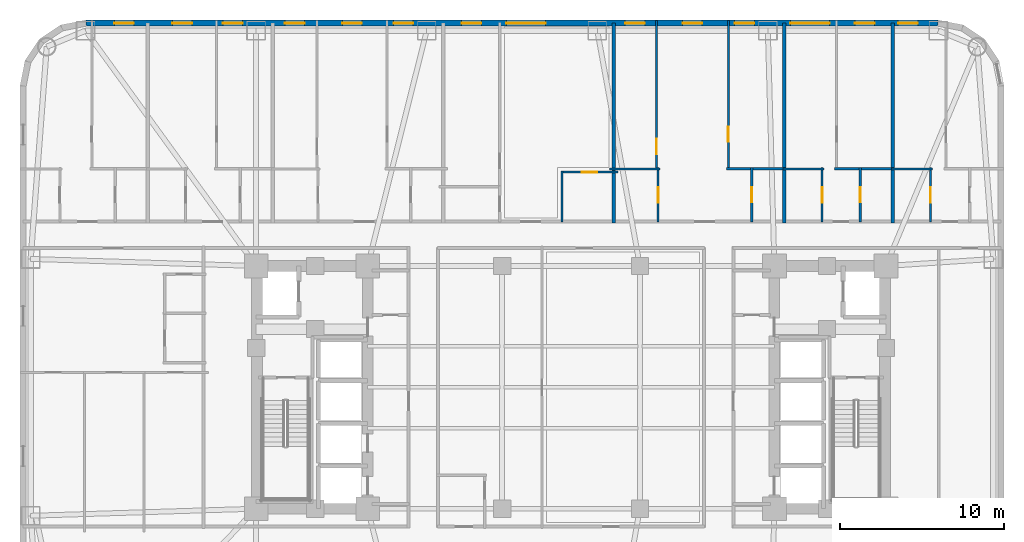
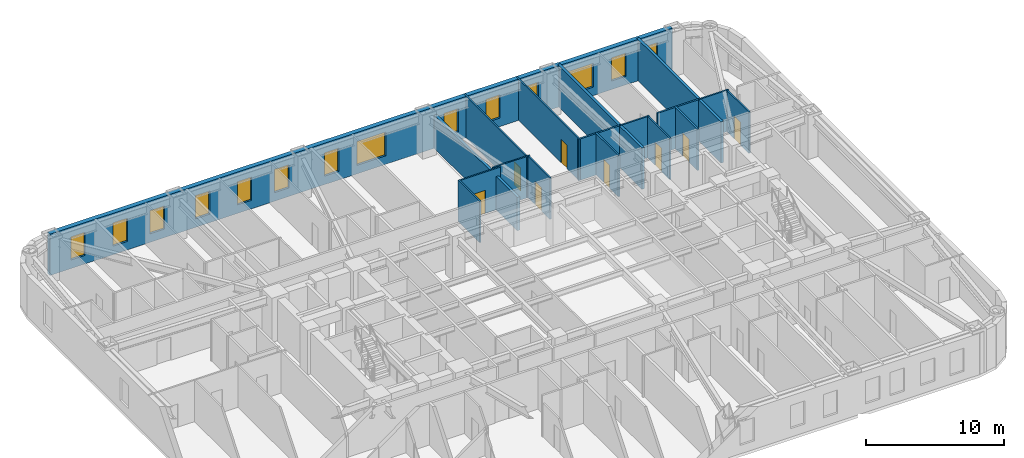
# One storey, part 8 of 12: 18 walls, 14 windows, 8 doors, 22 openings.
"""IFC4 building model written with IfcOpenShell, lengths in metres."""

from ifc_helpers import new_model, si_unit, direction, frame, frame_2d, origin, place, context, subcontext, project, spatial, rectangle, extrude, material, layer, layer_set, type_object, element, fill, save


model = new_model("IFC4")

# Units and contexts
model_context = context("Model", 3, precision=1e-05, world=origin(), true_north=direction((0.0, 1.0)))
body_context = subcontext(model_context, "Body", "Model", "MODEL_VIEW")
ifc_project = project(units=[si_unit("LENGTHUNIT", "METRE"), si_unit("AREAUNIT", "SQUARE_METRE"), si_unit("VOLUMEUNIT", "CUBIC_METRE"), si_unit("PLANEANGLEUNIT", "RADIAN"), si_unit("MASSUNIT", "GRAM", prefix="KILO")], contexts=[model_context])

# Site, building, storey
site_placement = place(None, origin())
site = spatial("IfcSite", under=ifc_project, at=site_placement, CompositionType="ELEMENT")
building_placement = place(site_placement, origin())
building = spatial("IfcBuilding", under=site, at=building_placement, Name="Voryun Gate Residences", CompositionType="ELEMENT")
storey_placement = place(building_placement, frame((0.0, 0.0, 41.60009765625)))
storey = spatial("IfcBuildingStorey", under=building, at=storey_placement, Name="L09", CompositionType="ELEMENT", Elevation=41.60009765625)

# Wall, openings, windows
ifc_material_1 = material(Name="Granite masonry", Category="masonry")
ifc_layer_1 = layer(ifc_material_1, 0.3798828125, Name="W_EXT_GRANITE_380")
ifc_layer_set_1 = layer_set([ifc_layer_1], Name="Granite masonry")
wall_type_1 = type_object("IfcWallType", Name="W_EXT_GRANITE_380", PredefinedType="ELEMENTEDWALL", material=ifc_layer_set_1)
wall_1_placement = place(storey_placement, frame((-29.581298828125, 22.2099609375, 0.0), z_axis=(0.0, 0.0, 1.0), x_axis=(1.0, 0.0, 0.0)))
wall_1 = element("IfcWall", 1, at=wall_1_placement, inside=storey, type_object=wall_type_1, Name="Exterior wall WEXT-L09-11", PredefinedType="ELEMENTEDWALL", context=body_context, shape_type="SweptSolid", body=[
    extrude(rectangle(XDim=51.962646484375, YDim=0.3798828125, at=frame_2d((25.9814453125, 0.0))), origin(), (0.0, 0.0, 1.0), 3.64990234375),
])
opening_1_placement = place(wall_1_placement, frame((25.63134765625, 0.0, 0.75)))
opening_1 = element("IfcOpeningElement", 2, at=opening_1_placement, cuts=wall_1, Name="Opening WN2", PredefinedType="OPENING", context=body_context, shape_type="SweptSolid", body=[
    extrude(rectangle(XDim=2.39990234375, YDim=2.10009765625, at=frame_2d((1.199951171875, 1.050048828125))), frame((0.0, 0.199951171875, 0.0), z_axis=(0.0, -1.0, 0.0), x_axis=(1.0, 0.0, 0.0)), (0.0, 0.0, 1.0), 0.39990234375),
])
opening_2_placement = place(wall_1_placement, frame((42.9521484375, 0.0, 0.75)))
opening_2 = element("IfcOpeningElement", 3, at=opening_2_placement, cuts=wall_1, Name="Opening WN2", PredefinedType="OPENING", context=body_context, shape_type="SweptSolid", body=[
    extrude(rectangle(XDim=2.39990234375, YDim=2.10009765625, at=frame_2d((1.199951171875, 1.050048828125))), frame((0.0, 0.199951171875, 0.0), z_axis=(0.0, -1.0, 0.0), x_axis=(1.0, 0.0, 0.0)), (0.0, 0.0, 1.0), 0.39990234375),
])
opening_3_placement = place(wall_1_placement, frame((1.731201171875, 0.0, 0.75)))
opening_3 = element("IfcOpeningElement", 4, at=opening_3_placement, cuts=wall_1, Name="Opening WN6", PredefinedType="OPENING", context=body_context, shape_type="SweptSolid", body=[
    extrude(rectangle(XDim=1.199951171875, YDim=2.050048828125, at=frame_2d((0.60009765625, 1.02490234375))), frame((0.0, 0.199951171875, 0.0), z_axis=(0.0, -1.0, 0.0), x_axis=(1.0, 0.0, 0.0)), (0.0, 0.0, 1.0), 0.39990234375),
])
opening_4_placement = place(wall_1_placement, frame((5.271728515625, 0.0, 0.75)))
opening_4 = element("IfcOpeningElement", 5, at=opening_4_placement, cuts=wall_1, Name="Opening WN6", PredefinedType="OPENING", context=body_context, shape_type="SweptSolid", body=[
    extrude(rectangle(XDim=1.199951171875, YDim=2.050048828125, at=frame_2d((0.60009765625, 1.02490234375))), frame((0.0, 0.199951171875, 0.0), z_axis=(0.0, -1.0, 0.0), x_axis=(1.0, 0.0, 0.0)), (0.0, 0.0, 1.0), 0.39990234375),
])
opening_5_placement = place(wall_1_placement, frame((8.356201171875, 0.0, 0.75)))
opening_5 = element("IfcOpeningElement", 6, at=opening_5_placement, cuts=wall_1, Name="Opening WN6", PredefinedType="OPENING", context=body_context, shape_type="SweptSolid", body=[
    extrude(rectangle(XDim=1.199951171875, YDim=2.050048828125, at=frame_2d((0.60009765625, 1.02490234375))), frame((0.0, 0.199951171875, 0.0), z_axis=(0.0, -1.0, 0.0), x_axis=(1.0, 0.0, 0.0)), (0.0, 0.0, 1.0), 0.39990234375),
])
opening_6_placement = place(wall_1_placement, frame((15.63232421875, 0.0, 0.75)))
opening_6 = element("IfcOpeningElement", 7, at=opening_6_placement, cuts=wall_1, Name="Opening WN6", PredefinedType="OPENING", context=body_context, shape_type="SweptSolid", body=[
    extrude(rectangle(XDim=1.199951171875, YDim=2.050048828125, at=frame_2d((0.60009765625, 1.02490234375))), frame((0.0, 0.199951171875, 0.0), z_axis=(0.0, -1.0, 0.0), x_axis=(1.0, 0.0, 0.0)), (0.0, 0.0, 1.0), 0.39990234375),
])
opening_7_placement = place(wall_1_placement, frame((12.13720703125, 0.0, 0.75)))
opening_7 = element("IfcOpeningElement", 8, at=opening_7_placement, cuts=wall_1, Name="Opening WN6", PredefinedType="OPENING", context=body_context, shape_type="SweptSolid", body=[
    extrude(rectangle(XDim=1.199951171875, YDim=2.050048828125, at=frame_2d((0.60009765625, 1.02490234375))), frame((0.0, 0.199951171875, 0.0), z_axis=(0.0, -1.0, 0.0), x_axis=(1.0, 0.0, 0.0)), (0.0, 0.0, 1.0), 0.39990234375),
])
opening_8_placement = place(wall_1_placement, frame((18.75634765625, 0.0, 0.75)))
opening_8 = element("IfcOpeningElement", 9, at=opening_8_placement, cuts=wall_1, Name="Opening WN6", PredefinedType="OPENING", context=body_context, shape_type="SweptSolid", body=[
    extrude(rectangle(XDim=1.199951171875, YDim=2.050048828125, at=frame_2d((0.60009765625, 1.02490234375))), frame((0.0, 0.199951171875, 0.0), z_axis=(0.0, -1.0, 0.0), x_axis=(1.0, 0.0, 0.0)), (0.0, 0.0, 1.0), 0.39990234375),
])
opening_9_placement = place(wall_1_placement, frame((22.9072265625, 0.0, 0.75)))
opening_9 = element("IfcOpeningElement", 10, at=opening_9_placement, cuts=wall_1, Name="Opening WN6", PredefinedType="OPENING", context=body_context, shape_type="SweptSolid", body=[
    extrude(rectangle(XDim=1.199951171875, YDim=2.050048828125, at=frame_2d((0.60009765625, 1.02490234375))), frame((0.0, 0.199951171875, 0.0), z_axis=(0.0, -1.0, 0.0), x_axis=(1.0, 0.0, 0.0)), (0.0, 0.0, 1.0), 0.39990234375),
])
opening_10_placement = place(wall_1_placement, frame((36.38134765625, 0.0, 0.75)))
opening_10 = element("IfcOpeningElement", 11, at=opening_10_placement, cuts=wall_1, Name="Opening WN6", PredefinedType="OPENING", context=body_context, shape_type="SweptSolid", body=[
    extrude(rectangle(XDim=1.199951171875, YDim=2.050048828125, at=frame_2d((0.60009765625, 1.02490234375))), frame((0.0, 0.199951171875, 0.0), z_axis=(0.0, -1.0, 0.0), x_axis=(1.0, 0.0, 0.0)), (0.0, 0.0, 1.0), 0.39990234375),
])
opening_11_placement = place(wall_1_placement, frame((32.88623046875, 0.0, 0.75)))
opening_11 = element("IfcOpeningElement", 12, at=opening_11_placement, cuts=wall_1, Name="Opening WN6", PredefinedType="OPENING", context=body_context, shape_type="SweptSolid", body=[
    extrude(rectangle(XDim=1.199951171875, YDim=2.050048828125, at=frame_2d((0.60009765625, 1.02490234375))), frame((0.0, 0.199951171875, 0.0), z_axis=(0.0, -1.0, 0.0), x_axis=(1.0, 0.0, 0.0)), (0.0, 0.0, 1.0), 0.39990234375),
])
opening_12_placement = place(wall_1_placement, frame((39.556396484375, 0.0, 0.75)))
opening_12 = element("IfcOpeningElement", 13, at=opening_12_placement, cuts=wall_1, Name="Opening WN6", PredefinedType="OPENING", context=body_context, shape_type="SweptSolid", body=[
    extrude(rectangle(XDim=1.199951171875, YDim=2.050048828125, at=frame_2d((0.60009765625, 1.02490234375))), frame((0.0, 0.199951171875, 0.0), z_axis=(0.0, -1.0, 0.0), x_axis=(1.0, 0.0, 0.0)), (0.0, 0.0, 1.0), 0.39990234375),
])
opening_13_placement = place(wall_1_placement, frame((46.88525390625, 0.0, 0.75)))
opening_13 = element("IfcOpeningElement", 14, at=opening_13_placement, cuts=wall_1, Name="Opening WN6", PredefinedType="OPENING", context=body_context, shape_type="SweptSolid", body=[
    extrude(rectangle(XDim=1.199951171875, YDim=2.050048828125, at=frame_2d((0.60009765625, 1.02490234375))), frame((0.0, 0.199951171875, 0.0), z_axis=(0.0, -1.0, 0.0), x_axis=(1.0, 0.0, 0.0)), (0.0, 0.0, 1.0), 0.39990234375),
])
opening_14_placement = place(wall_1_placement, frame((49.531494140625, 0.0, 0.75)))
opening_14 = element("IfcOpeningElement", 15, at=opening_14_placement, cuts=wall_1, Name="Opening WN6", PredefinedType="OPENING", context=body_context, shape_type="SweptSolid", body=[
    extrude(rectangle(XDim=1.199951171875, YDim=2.050048828125, at=frame_2d((0.60009765625, 1.02490234375))), frame((0.0, 0.199951171875, 0.0), z_axis=(0.0, -1.0, 0.0), x_axis=(1.0, 0.0, 0.0)), (0.0, 0.0, 1.0), 0.39990234375),
])
ifc_material_2 = material(Name="Laminated low-E glass", Category="glass")
window_type_1 = type_object("IfcWindowType", Name="WN_POD_SLOT_1200", PartitioningType="SINGLE_PANEL", PredefinedType="WINDOW", material=ifc_material_2)
window_1_placement = place(opening_3_placement, origin())
window_1 = element("IfcWindow", 16, at=window_1_placement, inside=storey, type_object=window_type_1, Name="Window WN-L09-DWFIX-02", OverallHeight=2.050048828125, OverallWidth=1.199951171875, PartitioningType="SINGLE_PANEL", PredefinedType="WINDOW", context=body_context, shape_type="SweptSolid", body=[
    extrude(rectangle(XDim=1.199951171875, YDim=2.050048828125, at=frame_2d((0.60009765625, 1.02490234375))), frame((0.0, 0.030029296875, 0.0), z_axis=(0.0, -1.0, 0.0), x_axis=(1.0, 0.0, 0.0)), (0.0, 0.0, 1.0), 0.06005859375),
])
fill(opening_3, window_1)
window_2_placement = place(opening_4_placement, origin())
window_2 = element("IfcWindow", 17, at=window_2_placement, inside=storey, type_object=window_type_1, Name="Window WN-L09-DWFIX-03", OverallHeight=2.050048828125, OverallWidth=1.199951171875, PartitioningType="SINGLE_PANEL", PredefinedType="WINDOW", context=body_context, shape_type="SweptSolid", body=[
    extrude(rectangle(XDim=1.199951171875, YDim=2.050048828125, at=frame_2d((0.60009765625, 1.02490234375))), frame((0.0, 0.030029296875, 0.0), z_axis=(0.0, -1.0, 0.0), x_axis=(1.0, 0.0, 0.0)), (0.0, 0.0, 1.0), 0.06005859375),
])
fill(opening_4, window_2)
window_3_placement = place(opening_5_placement, origin())
window_3 = element("IfcWindow", 18, at=window_3_placement, inside=storey, type_object=window_type_1, Name="Window WN-L09-DWFIX-04", OverallHeight=2.050048828125, OverallWidth=1.199951171875, PartitioningType="SINGLE_PANEL", PredefinedType="WINDOW", context=body_context, shape_type="SweptSolid", body=[
    extrude(rectangle(XDim=1.199951171875, YDim=2.050048828125, at=frame_2d((0.60009765625, 1.02490234375))), frame((0.0, 0.030029296875, 0.0), z_axis=(0.0, -1.0, 0.0), x_axis=(1.0, 0.0, 0.0)), (0.0, 0.0, 1.0), 0.06005859375),
])
fill(opening_5, window_3)
window_4_placement = place(opening_6_placement, origin())
window_4 = element("IfcWindow", 19, at=window_4_placement, inside=storey, type_object=window_type_1, Name="Window WN-L09-DWFIX-05", OverallHeight=2.050048828125, OverallWidth=1.199951171875, PartitioningType="SINGLE_PANEL", PredefinedType="WINDOW", context=body_context, shape_type="SweptSolid", body=[
    extrude(rectangle(XDim=1.199951171875, YDim=2.050048828125, at=frame_2d((0.60009765625, 1.02490234375))), frame((0.0, 0.030029296875, 0.0), z_axis=(0.0, -1.0, 0.0), x_axis=(1.0, 0.0, 0.0)), (0.0, 0.0, 1.0), 0.06005859375),
])
fill(opening_6, window_4)
window_5_placement = place(opening_7_placement, origin())
window_5 = element("IfcWindow", 20, at=window_5_placement, inside=storey, type_object=window_type_1, Name="Window WN-L09-DWFIX-06", OverallHeight=2.050048828125, OverallWidth=1.199951171875, PartitioningType="SINGLE_PANEL", PredefinedType="WINDOW", context=body_context, shape_type="SweptSolid", body=[
    extrude(rectangle(XDim=1.199951171875, YDim=2.050048828125, at=frame_2d((0.60009765625, 1.02490234375))), frame((0.0, 0.030029296875, 0.0), z_axis=(0.0, -1.0, 0.0), x_axis=(1.0, 0.0, 0.0)), (0.0, 0.0, 1.0), 0.06005859375),
])
fill(opening_7, window_5)
window_6_placement = place(opening_8_placement, origin())
window_6 = element("IfcWindow", 21, at=window_6_placement, inside=storey, type_object=window_type_1, Name="Window WN-L09-DWFIX-07", OverallHeight=2.050048828125, OverallWidth=1.199951171875, PartitioningType="SINGLE_PANEL", PredefinedType="WINDOW", context=body_context, shape_type="SweptSolid", body=[
    extrude(rectangle(XDim=1.199951171875, YDim=2.050048828125, at=frame_2d((0.60009765625, 1.02490234375))), frame((0.0, 0.030029296875, 0.0), z_axis=(0.0, -1.0, 0.0), x_axis=(1.0, 0.0, 0.0)), (0.0, 0.0, 1.0), 0.06005859375),
])
fill(opening_8, window_6)
window_7_placement = place(opening_9_placement, origin())
window_7 = element("IfcWindow", 22, at=window_7_placement, inside=storey, type_object=window_type_1, Name="Window WN-L09-DWFIX-08", OverallHeight=2.050048828125, OverallWidth=1.199951171875, PartitioningType="SINGLE_PANEL", PredefinedType="WINDOW", context=body_context, shape_type="SweptSolid", body=[
    extrude(rectangle(XDim=1.199951171875, YDim=2.050048828125, at=frame_2d((0.60009765625, 1.02490234375))), frame((0.0, 0.030029296875, 0.0), z_axis=(0.0, -1.0, 0.0), x_axis=(1.0, 0.0, 0.0)), (0.0, 0.0, 1.0), 0.06005859375),
])
fill(opening_9, window_7)
window_8_placement = place(opening_10_placement, origin())
window_8 = element("IfcWindow", 23, at=window_8_placement, inside=storey, type_object=window_type_1, Name="Window WN-L09-DWFIX-09", OverallHeight=2.050048828125, OverallWidth=1.199951171875, PartitioningType="SINGLE_PANEL", PredefinedType="WINDOW", context=body_context, shape_type="SweptSolid", body=[
    extrude(rectangle(XDim=1.199951171875, YDim=2.050048828125, at=frame_2d((0.60009765625, 1.02490234375))), frame((0.0, 0.030029296875, 0.0), z_axis=(0.0, -1.0, 0.0), x_axis=(1.0, 0.0, 0.0)), (0.0, 0.0, 1.0), 0.06005859375),
])
fill(opening_10, window_8)
window_9_placement = place(opening_11_placement, origin())
window_9 = element("IfcWindow", 24, at=window_9_placement, inside=storey, type_object=window_type_1, Name="Window WN-L09-DWFIX-10", OverallHeight=2.050048828125, OverallWidth=1.199951171875, PartitioningType="SINGLE_PANEL", PredefinedType="WINDOW", context=body_context, shape_type="SweptSolid", body=[
    extrude(rectangle(XDim=1.199951171875, YDim=2.050048828125, at=frame_2d((0.60009765625, 1.02490234375))), frame((0.0, 0.030029296875, 0.0), z_axis=(0.0, -1.0, 0.0), x_axis=(1.0, 0.0, 0.0)), (0.0, 0.0, 1.0), 0.06005859375),
])
fill(opening_11, window_9)
window_10_placement = place(opening_12_placement, origin())
window_10 = element("IfcWindow", 25, at=window_10_placement, inside=storey, type_object=window_type_1, Name="Window WN-L09-DWFIX-11", OverallHeight=2.050048828125, OverallWidth=1.199951171875, PartitioningType="SINGLE_PANEL", PredefinedType="WINDOW", context=body_context, shape_type="SweptSolid", body=[
    extrude(rectangle(XDim=1.199951171875, YDim=2.050048828125, at=frame_2d((0.60009765625, 1.02490234375))), frame((0.0, 0.030029296875, 0.0), z_axis=(0.0, -1.0, 0.0), x_axis=(1.0, 0.0, 0.0)), (0.0, 0.0, 1.0), 0.06005859375),
])
fill(opening_12, window_10)
window_11_placement = place(opening_13_placement, origin())
window_11 = element("IfcWindow", 26, at=window_11_placement, inside=storey, type_object=window_type_1, Name="Window WN-L09-DWFIX-12", OverallHeight=2.050048828125, OverallWidth=1.199951171875, PartitioningType="SINGLE_PANEL", PredefinedType="WINDOW", context=body_context, shape_type="SweptSolid", body=[
    extrude(rectangle(XDim=1.199951171875, YDim=2.050048828125, at=frame_2d((0.60009765625, 1.02490234375))), frame((0.0, 0.030029296875, 0.0), z_axis=(0.0, -1.0, 0.0), x_axis=(1.0, 0.0, 0.0)), (0.0, 0.0, 1.0), 0.06005859375),
])
fill(opening_13, window_11)
window_12_placement = place(opening_14_placement, origin())
window_12 = element("IfcWindow", 27, at=window_12_placement, inside=storey, type_object=window_type_1, Name="Window WN-L09-DWFIX-13", OverallHeight=2.050048828125, OverallWidth=1.199951171875, PartitioningType="SINGLE_PANEL", PredefinedType="WINDOW", context=body_context, shape_type="SweptSolid", body=[
    extrude(rectangle(XDim=1.199951171875, YDim=2.050048828125, at=frame_2d((0.60009765625, 1.02490234375))), frame((0.0, 0.030029296875, 0.0), z_axis=(0.0, -1.0, 0.0), x_axis=(1.0, 0.0, 0.0)), (0.0, 0.0, 1.0), 0.06005859375),
])
fill(opening_14, window_12)
ifc_material_3 = material(Name="Laminated low-E glass", Category="glass")
window_type_2 = type_object("IfcWindowType", Name="WN_RES_WIDE_2400", PartitioningType="SINGLE_PANEL", PredefinedType="WINDOW", material=ifc_material_3)
window_13_placement = place(opening_1_placement, origin())
window_13 = element("IfcWindow", 28, at=window_13_placement, inside=storey, type_object=window_type_2, Name="Window WN-WEXT-L09-11-02", OverallHeight=2.10009765625, OverallWidth=2.39990234375, PartitioningType="SINGLE_PANEL", PredefinedType="WINDOW", context=body_context, shape_type="SweptSolid", body=[
    extrude(rectangle(XDim=2.39990234375, YDim=2.10009765625, at=frame_2d((1.199951171875, 1.050048828125))), frame((0.0, 0.030029296875, 0.0), z_axis=(0.0, -1.0, 0.0), x_axis=(1.0, 0.0, 0.0)), (0.0, 0.0, 1.0), 0.06005859375),
])
fill(opening_1, window_13)
window_14_placement = place(opening_2_placement, origin())
window_14 = element("IfcWindow", 29, at=window_14_placement, inside=storey, type_object=window_type_2, Name="Window WN-WEXT-L09-11-03", OverallHeight=2.10009765625, OverallWidth=2.39990234375, PartitioningType="SINGLE_PANEL", PredefinedType="WINDOW", context=body_context, shape_type="SweptSolid", body=[
    extrude(rectangle(XDim=2.39990234375, YDim=2.10009765625, at=frame_2d((1.199951171875, 1.050048828125))), frame((0.0, 0.030029296875, 0.0), z_axis=(0.0, -1.0, 0.0), x_axis=(1.0, 0.0, 0.0)), (0.0, 0.0, 1.0), 0.06005859375),
])
fill(opening_2, window_14)

# Walls
ifc_material_4 = material(Name="Concrete C40/50", Category="concrete")
ifc_layer_2 = layer(ifc_material_4, 0.219970703125, Name="W_PARTY_ACOUSTIC_220")
ifc_layer_set_2 = layer_set([ifc_layer_2], Name="Concrete C40/50")
wall_type_2 = type_object("IfcWallType", Name="W_PARTY_ACOUSTIC_220", PredefinedType="PARTITIONING", material=ifc_layer_set_2)
wall_2_placement = place(storey_placement, frame((2.60009765625, 10.02001953125, 0.0), z_axis=(0.0, 0.0, 1.0), x_axis=(0.0, 1.0, 0.0)))
element("IfcWall", 30, at=wall_2_placement, inside=storey, type_object=wall_type_2, Name="Partition wall WP-L09-NPTY-4", PredefinedType="PARTITIONING", context=body_context, shape_type="SweptSolid", body=[
    extrude(rectangle(XDim=12.18994140625, YDim=0.219970703125, at=frame_2d((6.094970703125, 0.0))), origin(), (0.0, 0.0, 1.0), 2.93994140625),
])
for number, where, z_axis, x_axis, name in (
    (31, (13.0, 10.02001953125, 0.0), (0.0, 0.0, 1.0), (0.0, 1.0, 0.0), "Partition wall WP-L09-NPTY-5"),
    (32, (19.60888671875, 10.02001953125, 0.0), (0.0, 0.0, 1.0), (0.0, 1.0, 0.0), "Partition wall WP-L09-NPTY-6"),
):
    element("IfcWall", number, at=place(storey_placement, frame(where, z_axis=z_axis, x_axis=x_axis)), inside=storey, type_object=wall_type_2, Name=name, PredefinedType="PARTITIONING", context=body_context, shape_type="SweptSolid", body=[
        extrude(rectangle(XDim=12.18994140625, YDim=0.219970703125, at=frame_2d((6.094970703125, 0.0))), origin(), (0.0, 0.0, 1.0), 3.64990234375),
    ])

# Wall, opening, door
ifc_material_5 = material(Name="Gypsum acoustic partition")
ifc_layer_3 = layer(ifc_material_5, 0.125, Name="W_UNIT_PART_125")
ifc_layer_set_3 = layer_set([ifc_layer_3], Name="Gypsum acoustic partition")
wall_type_3 = type_object("IfcWallType", Name="W_UNIT_PART_125", PredefinedType="PARTITIONING", material=ifc_layer_set_3)
wall_3_placement = place(storey_placement, frame((-0.6201171875, 13.1201171875, 0.0), z_axis=(0.0, 0.0, 1.0), x_axis=(1.0, 0.0, 0.0)))
wall_3 = element("IfcWall", 33, at=wall_3_placement, inside=storey, type_object=wall_type_3, Name="Partition wall WP-L09-N4-KHY", PredefinedType="PARTITIONING", context=body_context, shape_type="SweptSolid", body=[
    extrude(rectangle(XDim=3.480224609375, YDim=0.125, at=frame_2d((1.740234375, 0.0))), origin(), (0.0, 0.0, 1.0), 3.64990234375),
])
opening_15_placement = place(wall_3_placement, frame((1.264892578125, 0.0, 0.0)))
opening_15 = element("IfcOpeningElement", 34, at=opening_15_placement, cuts=wall_3, Name="Opening D-INT-1", PredefinedType="OPENING", context=body_context, shape_type="SweptSolid", body=[
    extrude(rectangle(XDim=0.949951171875, YDim=2.050048828125, at=frame_2d((0.47509765625, 1.02490234375))), frame((0.0, 0.072509765625, 0.0), z_axis=(0.0, -1.0, 0.0), x_axis=(1.0, 0.0, 0.0)), (0.0, 0.0, 1.0), 0.14501953125),
])
ifc_material_6 = material(Name="Architectural oak veneer")
door_type_1 = type_object("IfcDoorType", Name="DR_INT_ROOM_950", OperationType="NOTDEFINED", PredefinedType="DOOR", material=ifc_material_6)
door_1_placement = place(opening_15_placement, origin())
door_1 = element("IfcDoor", 35, at=door_1_placement, inside=storey, type_object=door_type_1, Name="Door DR-L09-N4-DK", OperationType="SINGLE_SWING_LEFT", OverallHeight=2.050048828125, OverallWidth=0.949951171875, PredefinedType="DOOR", context=body_context, shape_type="SweptSolid", body=[
    extrude(rectangle(XDim=0.949951171875, YDim=2.050048828125, at=frame_2d((0.47509765625, 1.02490234375))), frame((0.0, 0.02490234375, 0.0), z_axis=(0.0, -1.0, 0.0), x_axis=(1.0, 0.0, 0.0)), (0.0, 0.0, 1.0), 0.050048828125),
])
fill(opening_15, door_1)

# Wall
wall_4_placement = place(storey_placement, frame((-0.56005859375, 10.080078125, 0.0), z_axis=(0.0, 0.0, 1.0), x_axis=(0.0, 1.0, 0.0)))
element("IfcWall", 36, at=wall_4_placement, inside=storey, type_object=wall_type_3, Name="Partition wall WP-L09-N4-KVX", PredefinedType="PARTITIONING", context=body_context, shape_type="SweptSolid", body=[
    extrude(rectangle(XDim=3.099853515625, YDim=0.125, at=frame_2d((1.5498046875, 0.0))), origin(), (0.0, 0.0, 1.0), 3.64990234375),
])

# Wall, opening, door
wall_5_placement = place(storey_placement, frame((5.2099609375, 13.239990234375, 0.0), z_axis=(0.0, 0.0, 1.0), x_axis=(0.0, 1.0, 0.0)))
wall_5 = element("IfcWall", 37, at=wall_5_placement, inside=storey, type_object=wall_type_3, Name="Partition wall WP-L09-N5-OVL", PredefinedType="PARTITIONING", context=body_context, shape_type="SweptSolid", body=[
    extrude(rectangle(XDim=9.1201171875, YDim=0.125, at=frame_2d((4.56005859375, 0.0))), origin(), (0.0, 0.0, 1.0), 3.64990234375),
])
opening_16_placement = place(wall_5_placement, frame((0.984130859375, 0.0, 0.0)))
opening_16 = element("IfcOpeningElement", 38, at=opening_16_placement, cuts=wall_5, Name="Opening D-INT-1", PredefinedType="OPENING", context=body_context, shape_type="SweptSolid", body=[
    extrude(rectangle(XDim=0.949951171875, YDim=2.050048828125, at=frame_2d((0.47509765625, 1.02490234375))), frame((0.0, 0.072509765625, 0.0), z_axis=(0.0, -1.0, 0.0), x_axis=(1.0, 0.0, 0.0)), (0.0, 0.0, 1.0), 0.14501953125),
])
door_2_placement = place(opening_16_placement, origin())
door_2 = element("IfcDoor", 39, at=door_2_placement, inside=storey, type_object=door_type_1, Name="Door DR-L09-N5-DB2", OperationType="SINGLE_SWING_LEFT", OverallHeight=2.050048828125, OverallWidth=0.949951171875, PredefinedType="DOOR", context=body_context, shape_type="SweptSolid", body=[
    extrude(rectangle(XDim=0.949951171875, YDim=2.050048828125, at=frame_2d((0.47509765625, 1.02490234375))), frame((0.0, 0.02490234375, 0.0), z_axis=(0.0, -1.0, 0.0), x_axis=(1.0, 0.0, 0.0)), (0.0, 0.0, 1.0), 0.050048828125),
])
fill(opening_16, door_2)

wall_6_placement = place(storey_placement, frame((9.590087890625, 13.239990234375, 0.0), z_axis=(0.0, 0.0, 1.0), x_axis=(0.0, 1.0, 0.0)))
wall_6 = element("IfcWall", 40, at=wall_6_placement, inside=storey, type_object=wall_type_3, Name="Partition wall WP-L09-N5-OVR", PredefinedType="PARTITIONING", context=body_context, shape_type="SweptSolid", body=[
    extrude(rectangle(XDim=9.1201171875, YDim=0.125, at=frame_2d((4.56005859375, 0.0))), origin(), (0.0, 0.0, 1.0), 3.64990234375),
])
opening_17_placement = place(wall_6_placement, frame((1.73876953125, 0.0, 0.0)))
opening_17 = element("IfcOpeningElement", 41, at=opening_17_placement, cuts=wall_6, Name="Opening D-INT-2", PredefinedType="OPENING", context=body_context, shape_type="SweptSolid", body=[
    extrude(rectangle(XDim=0.89990234375, YDim=2.050048828125, at=frame_2d((0.449951171875, 1.02490234375))), frame((0.0, 0.072509765625, 0.0), z_axis=(0.0, -1.0, 0.0), x_axis=(1.0, 0.0, 0.0)), (0.0, 0.0, 1.0), 0.14501953125),
])
ifc_material_7 = material(Name="Architectural oak veneer")
door_type_2 = type_object("IfcDoorType", Name="DR_INT_BATH_900", OperationType="NOTDEFINED", PredefinedType="DOOR", material=ifc_material_7)
door_3_placement = place(opening_17_placement, origin())
door_3 = element("IfcDoor", 42, at=door_3_placement, inside=storey, type_object=door_type_2, Name="Door DR-L09-N5-DMB", OperationType="SINGLE_SWING_RIGHT", OverallHeight=2.050048828125, OverallWidth=0.89990234375, PredefinedType="DOOR", context=body_context, shape_type="SweptSolid", body=[
    extrude(rectangle(XDim=0.89990234375, YDim=2.050048828125, at=frame_2d((0.449951171875, 1.02490234375))), frame((0.0, 0.02490234375, 0.0), z_axis=(0.0, -1.0, 0.0), x_axis=(1.0, 0.0, 0.0)), (0.0, 0.0, 1.0), 0.050048828125),
])
fill(opening_17, door_3)

wall_7_placement = place(storey_placement, frame((5.31201171875, 10.080078125, 0.0), z_axis=(0.0, 0.0, 1.0), x_axis=(0.0, 1.0, 0.0)))
wall_7 = element("IfcWall", 43, at=wall_7_placement, inside=storey, type_object=wall_type_3, Name="Partition wall WP-L09-N5-IVK", PredefinedType="PARTITIONING", context=body_context, shape_type="SweptSolid", body=[
    extrude(rectangle(XDim=3.31982421875, YDim=0.125, at=frame_2d((1.659912109375, 0.0))), origin(), (0.0, 0.0, 1.0), 3.64990234375),
])
opening_18_placement = place(wall_7_placement, frame((1.18505859375, 0.0, 0.0)))
opening_18 = element("IfcOpeningElement", 44, at=opening_18_placement, cuts=wall_7, Name="Opening D-INT-1", PredefinedType="OPENING", context=body_context, shape_type="SweptSolid", body=[
    extrude(rectangle(XDim=0.949951171875, YDim=2.050048828125, at=frame_2d((0.47509765625, 1.02490234375))), frame((0.0, 0.072509765625, 0.0), z_axis=(0.0, -1.0, 0.0), x_axis=(1.0, 0.0, 0.0)), (0.0, 0.0, 1.0), 0.14501953125),
])
door_4_placement = place(opening_18_placement, origin())
door_4 = element("IfcDoor", 45, at=door_4_placement, inside=storey, type_object=door_type_1, Name="Door DR-L09-N5-DK", OperationType="SINGLE_SWING_LEFT", OverallHeight=2.050048828125, OverallWidth=0.949951171875, PredefinedType="DOOR", context=body_context, shape_type="SweptSolid", body=[
    extrude(rectangle(XDim=0.949951171875, YDim=2.050048828125, at=frame_2d((0.47509765625, 1.02490234375))), frame((0.0, 0.02490234375, 0.0), z_axis=(0.0, -1.0, 0.0), x_axis=(1.0, 0.0, 0.0)), (0.0, 0.0, 1.0), 0.050048828125),
])
fill(opening_18, door_4)

# Wall
wall_8_placement = place(storey_placement, frame((2.340087890625, 13.320068359375, 0.0), z_axis=(0.0, 0.0, 1.0), x_axis=(1.0, 0.0, 0.0)))
element("IfcWall", 46, at=wall_8_placement, inside=storey, type_object=wall_type_3, Name="Partition wall WP-L09-N5-HZK", PredefinedType="PARTITIONING", context=body_context, shape_type="SweptSolid", body=[
    extrude(rectangle(XDim=3.091796875, YDim=0.125, at=frame_2d((1.5458984375, 0.0))), origin(), (0.0, 0.0, 1.0), 3.64990234375),
])

# Wall, opening, door
wall_9_placement = place(storey_placement, frame((15.31005859375, 10.080078125, 0.0), z_axis=(0.0, 0.0, 1.0), x_axis=(0.0, 1.0, 0.0)))
wall_9 = element("IfcWall", 47, at=wall_9_placement, inside=storey, type_object=wall_type_3, Name="Partition wall WP-L09-N6-IVK", PredefinedType="PARTITIONING", context=body_context, shape_type="SweptSolid", body=[
    extrude(rectangle(XDim=3.31982421875, YDim=0.125, at=frame_2d((1.659912109375, 0.0))), origin(), (0.0, 0.0, 1.0), 3.64990234375),
])
opening_19_placement = place(wall_9_placement, frame((1.18505859375, 0.0, 0.0)))
opening_19 = element("IfcOpeningElement", 48, at=opening_19_placement, cuts=wall_9, Name="Opening D-INT-1", PredefinedType="OPENING", context=body_context, shape_type="SweptSolid", body=[
    extrude(rectangle(XDim=0.949951171875, YDim=2.050048828125, at=frame_2d((0.47509765625, 1.02490234375))), frame((0.0, 0.072509765625, 0.0), z_axis=(0.0, -1.0, 0.0), x_axis=(1.0, 0.0, 0.0)), (0.0, 0.0, 1.0), 0.14501953125),
])
door_5_placement = place(opening_19_placement, origin())
door_5 = element("IfcDoor", 49, at=door_5_placement, inside=storey, type_object=door_type_1, Name="Door DR-L09-N6-DK", OperationType="SINGLE_SWING_LEFT", OverallHeight=2.050048828125, OverallWidth=0.949951171875, PredefinedType="DOOR", context=body_context, shape_type="SweptSolid", body=[
    extrude(rectangle(XDim=0.949951171875, YDim=2.050048828125, at=frame_2d((0.47509765625, 1.02490234375))), frame((0.0, 0.02490234375, 0.0), z_axis=(0.0, -1.0, 0.0), x_axis=(1.0, 0.0, 0.0)), (0.0, 0.0, 1.0), 0.050048828125),
])
fill(opening_19, door_5)

# Wall
wall_10_placement = place(storey_placement, frame((12.925048828125, 13.320068359375, 0.0), z_axis=(0.0, 0.0, 1.0), x_axis=(1.0, 0.0, 0.0)))
element("IfcWall", 50, at=wall_10_placement, inside=storey, type_object=wall_type_3, Name="Partition wall WP-L09-N6-HZK", PredefinedType="PARTITIONING", context=body_context, shape_type="SweptSolid", body=[
    extrude(rectangle(XDim=2.5048828125, YDim=0.125, at=frame_2d((1.25244140625, 0.0))), origin(), (0.0, 0.0, 1.0), 3.64990234375),
])

# Wall, opening, door
wall_11_placement = place(storey_placement, frame((21.9189453125, 10.080078125, 0.0), z_axis=(0.0, 0.0, 1.0), x_axis=(0.0, 1.0, 0.0)))
wall_11 = element("IfcWall", 51, at=wall_11_placement, inside=storey, type_object=wall_type_3, Name="Partition wall WP-L09-N7-IVK", PredefinedType="PARTITIONING", context=body_context, shape_type="SweptSolid", body=[
    extrude(rectangle(XDim=3.31982421875, YDim=0.125, at=frame_2d((1.659912109375, 0.0))), origin(), (0.0, 0.0, 1.0), 3.64990234375),
])
opening_20_placement = place(wall_11_placement, frame((1.18505859375, 0.0, 0.0)))
opening_20 = element("IfcOpeningElement", 52, at=opening_20_placement, cuts=wall_11, Name="Opening D-INT-1", PredefinedType="OPENING", context=body_context, shape_type="SweptSolid", body=[
    extrude(rectangle(XDim=0.949951171875, YDim=2.050048828125, at=frame_2d((0.47509765625, 1.02490234375))), frame((0.0, 0.072509765625, 0.0), z_axis=(0.0, -1.0, 0.0), x_axis=(1.0, 0.0, 0.0)), (0.0, 0.0, 1.0), 0.14501953125),
])
door_6_placement = place(opening_20_placement, origin())
door_6 = element("IfcDoor", 53, at=door_6_placement, inside=storey, type_object=door_type_1, Name="Door DR-L09-N7-DK", OperationType="SINGLE_SWING_LEFT", OverallHeight=2.050048828125, OverallWidth=0.949951171875, PredefinedType="DOOR", context=body_context, shape_type="SweptSolid", body=[
    extrude(rectangle(XDim=0.949951171875, YDim=2.050048828125, at=frame_2d((0.47509765625, 1.02490234375))), frame((0.0, 0.02490234375, 0.0), z_axis=(0.0, -1.0, 0.0), x_axis=(1.0, 0.0, 0.0)), (0.0, 0.0, 1.0), 0.050048828125),
])
fill(opening_20, door_6)

# Walls
wall_12_placement = place(storey_placement, frame((19.533935546875, 13.320068359375, 0.0), z_axis=(0.0, 0.0, 1.0), x_axis=(1.0, 0.0, 0.0)))
element("IfcWall", 54, at=wall_12_placement, inside=storey, type_object=wall_type_3, Name="Partition wall WP-L09-N7-HZK", PredefinedType="PARTITIONING", context=body_context, shape_type="SweptSolid", body=[
    extrude(rectangle(XDim=2.505126953125, YDim=0.125, at=frame_2d((1.25244140625, 0.0))), origin(), (0.0, 0.0, 1.0), 3.64990234375),
])
ifc_material_8 = material(Name="Gypsum moisture-resistant partition")
ifc_layer_4 = layer(ifc_material_8, 0.14990234375, Name="W_WET_PLUMB_150")
ifc_layer_set_4 = layer_set([ifc_layer_4], Name="Gypsum moisture-resistant partition")
wall_type_4 = type_object("IfcWallType", Name="W_WET_PLUMB_150", PredefinedType="PLUMBINGWALL", material=ifc_layer_set_4)
wall_13_placement = place(storey_placement, frame((9.469970703125, 13.320068359375, 0.0), z_axis=(0.0, 0.0, 1.0), x_axis=(1.0, 0.0, 0.0)))
element("IfcWall", 55, at=wall_13_placement, inside=storey, type_object=wall_type_4, Name="Partition wall WP-L09-N5-HZB", PredefinedType="PLUMBINGWALL", context=body_context, shape_type="SweptSolid", body=[
    extrude(rectangle(XDim=3.60498046875, YDim=0.14990234375, at=frame_2d((1.802490234375, 0.0))), origin(), (0.0, 0.0, 1.0), 3.64990234375),
])

# Wall, opening, door
wall_14_placement = place(storey_placement, frame((11.02001953125, 10.080078125, 0.0), z_axis=(0.0, 0.0, 1.0), x_axis=(0.0, 1.0, 0.0)))
wall_14 = element("IfcWall", 56, at=wall_14_placement, inside=storey, type_object=wall_type_4, Name="Partition wall WP-L09-N5-IVB", PredefinedType="PLUMBINGWALL", context=body_context, shape_type="SweptSolid", body=[
    extrude(rectangle(XDim=3.31982421875, YDim=0.14990234375, at=frame_2d((1.659912109375, 0.0))), origin(), (0.0, 0.0, 1.0), 3.64990234375),
])
opening_21_placement = place(wall_14_placement, frame((1.2099609375, 0.0, 0.0)))
opening_21 = element("IfcOpeningElement", 57, at=opening_21_placement, cuts=wall_14, Name="Opening D-INT-2", PredefinedType="OPENING", context=body_context, shape_type="SweptSolid", body=[
    extrude(rectangle(XDim=0.89990234375, YDim=2.050048828125, at=frame_2d((0.449951171875, 1.02490234375))), frame((0.0, 0.0849609375, 0.0), z_axis=(0.0, -1.0, 0.0), x_axis=(1.0, 0.0, 0.0)), (0.0, 0.0, 1.0), 0.169921875),
])
door_7_placement = place(opening_21_placement, origin())
door_7 = element("IfcDoor", 58, at=door_7_placement, inside=storey, type_object=door_type_2, Name="Door DR-L09-N5-DB", OperationType="SINGLE_SWING_RIGHT", OverallHeight=2.050048828125, OverallWidth=0.89990234375, PredefinedType="DOOR", context=body_context, shape_type="SweptSolid", body=[
    extrude(rectangle(XDim=0.89990234375, YDim=2.050048828125, at=frame_2d((0.449951171875, 1.02490234375))), frame((0.0, 0.02490234375, 0.0), z_axis=(0.0, -1.0, 0.0), x_axis=(1.0, 0.0, 0.0)), (0.0, 0.0, 1.0), 0.050048828125),
])
fill(opening_21, door_7)

# Wall
wall_15_placement = place(storey_placement, frame((16.0791015625, 13.320068359375, 0.0), z_axis=(0.0, 0.0, 1.0), x_axis=(1.0, 0.0, 0.0)))
element("IfcWall", 59, at=wall_15_placement, inside=storey, type_object=wall_type_4, Name="Partition wall WP-L09-N6-HZB", PredefinedType="PLUMBINGWALL", context=body_context, shape_type="SweptSolid", body=[
    extrude(rectangle(XDim=3.60498046875, YDim=0.14990234375, at=frame_2d((1.802490234375, 0.0))), origin(), (0.0, 0.0, 1.0), 3.64990234375),
])

# Wall, opening, door
wall_16_placement = place(storey_placement, frame((17.62890625, 10.080078125, 0.0), z_axis=(0.0, 0.0, 1.0), x_axis=(0.0, 1.0, 0.0)))
wall_16 = element("IfcWall", 60, at=wall_16_placement, inside=storey, type_object=wall_type_4, Name="Partition wall WP-L09-N6-IVB", PredefinedType="PLUMBINGWALL", context=body_context, shape_type="SweptSolid", body=[
    extrude(rectangle(XDim=3.31982421875, YDim=0.14990234375, at=frame_2d((1.659912109375, 0.0))), origin(), (0.0, 0.0, 1.0), 3.64990234375),
])
opening_22_placement = place(wall_16_placement, frame((1.2099609375, 0.0, 0.0)))
opening_22 = element("IfcOpeningElement", 61, at=opening_22_placement, cuts=wall_16, Name="Opening D-INT-2", PredefinedType="OPENING", context=body_context, shape_type="SweptSolid", body=[
    extrude(rectangle(XDim=0.89990234375, YDim=2.050048828125, at=frame_2d((0.449951171875, 1.02490234375))), frame((0.0, 0.0849609375, 0.0), z_axis=(0.0, -1.0, 0.0), x_axis=(1.0, 0.0, 0.0)), (0.0, 0.0, 1.0), 0.169921875),
])
door_8_placement = place(opening_22_placement, origin())
door_8 = element("IfcDoor", 62, at=door_8_placement, inside=storey, type_object=door_type_2, Name="Door DR-L09-N6-DB", OperationType="SINGLE_SWING_RIGHT", OverallHeight=2.050048828125, OverallWidth=0.89990234375, PredefinedType="DOOR", context=body_context, shape_type="SweptSolid", body=[
    extrude(rectangle(XDim=0.89990234375, YDim=2.050048828125, at=frame_2d((0.449951171875, 1.02490234375))), frame((0.0, 0.02490234375, 0.0), z_axis=(0.0, -1.0, 0.0), x_axis=(1.0, 0.0, 0.0)), (0.0, 0.0, 1.0), 0.050048828125),
])
fill(opening_22, door_8)

save(model, "model.ifc")
